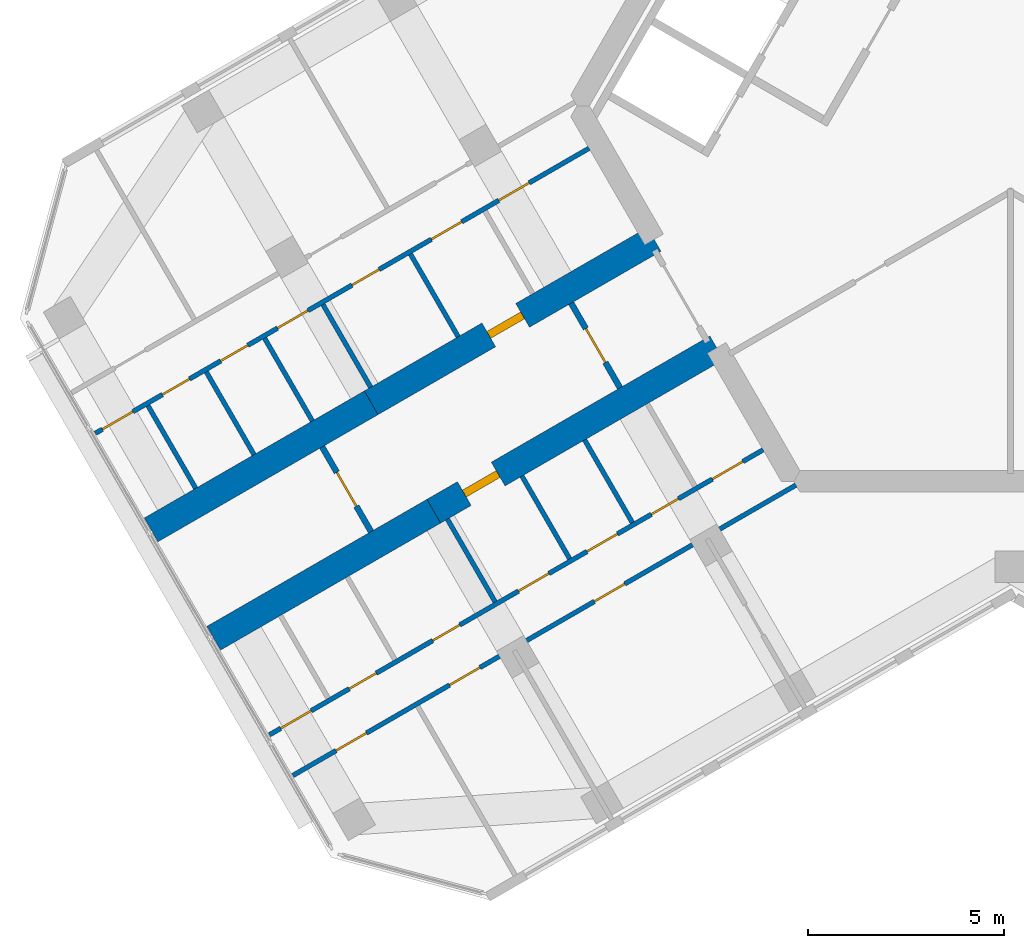
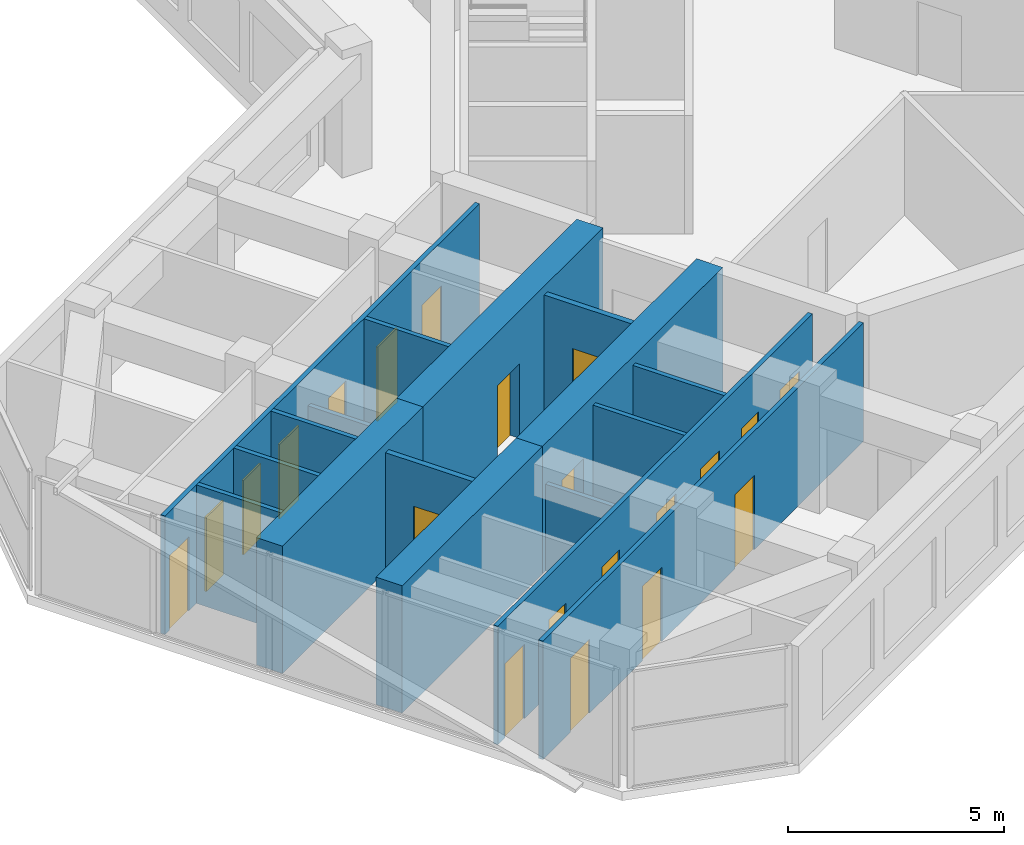
# One storey, part 7 of 14: 21 doors, 17 walls, 21 openings.
"""IFC4 building model written with IfcOpenShell, lengths in metres."""

from ifc_helpers import new_model, si_unit, direction, frame, frame_2d, origin, place, context, subcontext, project, spatial, rectangle, extrude, material, layer, layer_set, type_object, element, fill, save


model = new_model("IFC4")

# Units and contexts
model_context = context("Model", 3, precision=1e-05, world=origin(), true_north=direction((0.0, 1.0)))
body_context = subcontext(model_context, "Body", "Model", "MODEL_VIEW")
ifc_project = project(units=[si_unit("LENGTHUNIT", "METRE"), si_unit("AREAUNIT", "SQUARE_METRE"), si_unit("VOLUMEUNIT", "CUBIC_METRE"), si_unit("PLANEANGLEUNIT", "RADIAN"), si_unit("MASSUNIT", "GRAM", prefix="KILO")], contexts=[model_context])

# Site, building, storey
site_placement = place(None, origin())
site = spatial("IfcSite", under=ifc_project, at=site_placement, CompositionType="ELEMENT")
building_placement = place(site_placement, origin())
building = spatial("IfcBuilding", under=site, at=building_placement, Name="Kosmar Iwan School Tower", CompositionType="ELEMENT")
storey_placement = place(building_placement, frame((0.0, 0.0, 267.39990234375)))
storey = spatial("IfcBuildingStorey", under=building, at=storey_placement, Name="L67", CompositionType="ELEMENT", Elevation=267.39990234375)

# Wall, opening, door
ifc_material_1 = material(Name="Concrete C50/60", Category="concrete")
ifc_layer_1 = layer(ifc_material_1, 0.699951171875)
ifc_layer_set_1 = layer_set([ifc_layer_1], Name="Corridor buttress wall 700")
wall_type_1 = type_object("IfcWallType", Name="Corridor buttress wall 700", PredefinedType="SHEAR", material=ifc_layer_set_1)
wall_1_placement = place(storey_placement, frame((-7.513916015625, -6.185546875, 0.0), z_axis=(0.0, 0.0, 1.0), x_axis=(-0.866019549707, -0.500010139422, 0.0)))
wall_1 = element("IfcWall", 1, at=wall_1_placement, inside=storey, type_object=wall_type_1, Name="Corridor wall BL", PredefinedType="SHEAR", context=body_context, shape_type="SweptSolid", body=[
    extrude(rectangle(XDim=8.349853515625, YDim=0.699951171875, at=frame_2d((4.1748046875, 0.0))), origin(), (0.0, 0.0, 1.0), 3.60009765625),
])
opening_1_placement = place(wall_1_placement, frame((6.449951171875, 0.0, 0.0)))
opening_1 = element("IfcOpeningElement", 2, at=opening_1_placement, cuts=wall_1, Name="Opening D1", PredefinedType="OPENING", context=body_context, shape_type="SweptSolid", body=[
    extrude(rectangle(XDim=1.0, YDim=2.10009765625, at=frame_2d((0.5, 1.050048828125))), frame((0.0, 0.362060546875, 0.0), z_axis=(0.0, -1.0, 0.0), x_axis=(1.0, 0.0, 0.0)), (0.0, 0.0, 1.0), 0.723876953125),
])
ifc_material_2 = material(Name="Timber fire door in steel frame", Category="steel")
door_type_1 = type_object("IfcDoorType", Name="Flat entrance door 1000x2100", OperationType="SINGLE_SWING_LEFT", PredefinedType="DOOR", material=ifc_material_2)
door_1_placement = place(opening_1_placement, origin())
door_1 = element("IfcDoor", 3, at=door_1_placement, inside=storey, type_object=door_type_1, Name="Flat L67-BL1 entrance door", OperationType="SINGLE_SWING_LEFT", OverallHeight=2.10009765625, OverallWidth=1.0, PredefinedType="DOOR", context=body_context, shape_type="SweptSolid", body=[
    extrude(rectangle(XDim=1.0, YDim=2.10009765625, at=frame_2d((0.5, 1.050048828125))), frame((0.0, 0.10009765625, 0.0), z_axis=(0.0, -1.0, 0.0), x_axis=(1.0, 0.0, 0.0)), (0.0, 0.0, 1.0), 0.199951171875),
])
fill(opening_1, door_1)

# Wall
wall_2_placement = place(storey_placement, frame((-14.7451171875, -10.360595703125, 0.0), z_axis=(0.0, 0.0, 1.0), x_axis=(-0.866027848477, -0.499995765644, 0.0)))
element("IfcWall", 4, at=wall_2_placement, inside=storey, type_object=wall_type_1, Name="Corridor wall BL bay 2", PredefinedType="SHEAR", context=body_context, shape_type="SweptSolid", body=[
    extrude(rectangle(XDim=6.4951171875, YDim=0.699951171875, at=frame_2d((3.24755859375, 0.0))), origin(), (0.0, 0.0, 1.0), 3.60009765625),
])

# Wall, opening, door
wall_3_placement = place(storey_placement, frame((-9.11376953125, -3.414306640625, 0.0), z_axis=(0.0, 0.0, 1.0), x_axis=(-0.866026859388, -0.499997478812, 0.0)))
wall_3 = element("IfcWall", 5, at=wall_3_placement, inside=storey, type_object=wall_type_1, Name="Corridor wall BR", PredefinedType="SHEAR", context=body_context, shape_type="SweptSolid", body=[
    extrude(rectangle(XDim=8.35009765625, YDim=0.699951171875, at=frame_2d((4.175048828125, 0.0))), origin(), (0.0, 0.0, 1.0), 3.60009765625),
])
opening_2_placement = place(wall_3_placement, frame((3.8798828125, 0.0, 0.0)))
opening_2 = element("IfcOpeningElement", 6, at=opening_2_placement, cuts=wall_3, Name="Opening D1", PredefinedType="OPENING", context=body_context, shape_type="SweptSolid", body=[
    extrude(rectangle(XDim=1.0, YDim=2.10009765625, at=frame_2d((0.5, 1.050048828125))), frame((0.0, 0.362060546875, 0.0), z_axis=(0.0, -1.0, 0.0), x_axis=(1.0, 0.0, 0.0)), (0.0, 0.0, 1.0), 0.723876953125),
])
door_2_placement = place(opening_2_placement, origin())
door_2 = element("IfcDoor", 7, at=door_2_placement, inside=storey, type_object=door_type_1, Name="Flat L67-BR1 entrance door", OperationType="SINGLE_SWING_LEFT", OverallHeight=2.10009765625, OverallWidth=1.0, PredefinedType="DOOR", context=body_context, shape_type="SweptSolid", body=[
    extrude(rectangle(XDim=1.0, YDim=2.10009765625, at=frame_2d((0.5, 1.050048828125))), frame((0.0, 0.10009765625, 0.0), z_axis=(0.0, -1.0, 0.0), x_axis=(1.0, 0.0, 0.0)), (0.0, 0.0, 1.0), 0.199951171875),
])
fill(opening_2, door_2)

# Wall
wall_4_placement = place(storey_placement, frame((-16.34521484375, -7.58935546875, 0.0), z_axis=(0.0, 0.0, 1.0), x_axis=(-0.866018451174, -0.500012042081, 0.0)))
element("IfcWall", 8, at=wall_4_placement, inside=storey, type_object=wall_type_1, Name="Corridor wall BR bay 2", PredefinedType="SHEAR", context=body_context, shape_type="SweptSolid", body=[
    extrude(rectangle(XDim=6.494873046875, YDim=0.699951171875, at=frame_2d((3.24755859375, 0.0))), origin(), (0.0, 0.0, 1.0), 3.60009765625),
])

# Wall, opening, door
ifc_material_3 = material(Name="Gypsum board on steel studs, fire-rated", Category="steel")
ifc_layer_2 = layer(ifc_material_3, 0.14990234375)
ifc_layer_set_2 = layer_set([ifc_layer_2], Name="Corridor end wall 150")
wall_type_2 = type_object("IfcWallType", Name="Corridor end wall 150", PredefinedType="PARTITIONING", material=ifc_layer_set_2)
wall_5_placement = place(storey_placement, frame((-17.59912109375, -8.717529296875, 0.0), z_axis=(0.0, 0.0, 1.0), x_axis=(0.500004234368, -0.866022959057, 0.0)))
wall_5 = element("IfcWall", 9, at=wall_5_placement, inside=storey, type_object=wall_type_2, Name="Partition L67-B-CE", PredefinedType="PARTITIONING", context=body_context, shape_type="SweptSolid", body=[
    extrude(rectangle(XDim=2.5, YDim=0.14990234375, at=frame_2d((1.25, 0.0))), origin(), (0.0, 0.0, 1.0), 3.35009765625),
])
opening_3_placement = place(wall_5_placement, frame((0.75, 0.0, 0.0)))
opening_3 = element("IfcOpeningElement", 10, at=opening_3_placement, cuts=wall_5, Name="Opening D13", PredefinedType="OPENING", context=body_context, shape_type="SweptSolid", body=[
    extrude(rectangle(XDim=1.0, YDim=2.10009765625, at=frame_2d((0.5, 1.050048828125))), frame((0.0, 0.0869140625, 0.0), z_axis=(0.0, -1.0, 0.0), x_axis=(1.0, 0.0, 0.0)), (0.0, 0.0, 1.0), 0.173828125),
])
ifc_material_4 = material(Name="Timber fire door with vision panel", Category="wood")
door_type_2 = type_object("IfcDoorType", Name="Corridor end door 1000x2100", OperationType="SINGLE_SWING_LEFT", PredefinedType="DOOR", material=ifc_material_4)
door_3_placement = place(opening_3_placement, origin())
door_3 = element("IfcDoor", 11, at=door_3_placement, inside=storey, type_object=door_type_2, Name="Prayer room door L67-B", OperationType="SINGLE_SWING_LEFT", OverallHeight=2.10009765625, OverallWidth=1.0, PredefinedType="DOOR", context=body_context, shape_type="SweptSolid", body=[
    extrude(rectangle(XDim=1.0, YDim=2.10009765625, at=frame_2d((0.5, 1.050048828125))), frame((0.0, 0.02490234375, 0.0), z_axis=(0.0, -1.0, 0.0), x_axis=(1.0, 0.0, 0.0)), (0.0, 0.0, 1.0), 0.050048828125),
])
fill(opening_3, door_3)

wall_6_placement = place(storey_placement, frame((-11.23388671875, -5.04248046875, 0.0), z_axis=(0.0, 0.0, 1.0), x_axis=(0.500004234368, -0.866022959057, 0.0)))
wall_6 = element("IfcWall", 12, at=wall_6_placement, inside=storey, type_object=wall_type_2, Name="Partition L67-B-HW", PredefinedType="PARTITIONING", context=body_context, shape_type="SweptSolid", body=[
    extrude(rectangle(XDim=2.5, YDim=0.14990234375, at=frame_2d((1.25, 0.0))), origin(), (0.0, 0.0, 1.0), 3.35009765625),
])
opening_4_placement = place(wall_6_placement, frame((0.75, 0.0, 0.0)))
opening_4 = element("IfcOpeningElement", 13, at=opening_4_placement, cuts=wall_6, Name="Opening D13", PredefinedType="OPENING", context=body_context, shape_type="SweptSolid", body=[
    extrude(rectangle(XDim=1.0, YDim=2.10009765625, at=frame_2d((0.5, 1.050048828125))), frame((0.0, 0.0869140625, 0.0), z_axis=(0.0, -1.0, 0.0), x_axis=(1.0, 0.0, 0.0)), (0.0, 0.0, 1.0), 0.173828125),
])
door_4_placement = place(opening_4_placement, origin())
door_4 = element("IfcDoor", 14, at=door_4_placement, inside=storey, type_object=door_type_2, Name="Entrance door L67-B", OperationType="SINGLE_SWING_RIGHT", OverallHeight=2.10009765625, OverallWidth=1.0, PredefinedType="DOOR", context=body_context, shape_type="SweptSolid", body=[
    extrude(rectangle(XDim=1.0, YDim=2.10009765625, at=frame_2d((0.5, 1.050048828125))), frame((0.0, 0.02490234375, 0.0), z_axis=(0.0, -1.0, 0.0), x_axis=(1.0, 0.0, 0.0)), (0.0, 0.0, 1.0), 0.050048828125),
])
fill(opening_4, door_4)

# Wall, openings, doors
ifc_material_5 = material(Name="Gypsum board on steel studs", Category="steel")
ifc_layer_3 = layer(ifc_material_5, 0.1201171875)
ifc_layer_set_3 = layer_set([ifc_layer_3], Name="Dwelling partition 120")
wall_type_3 = type_object("IfcWallType", Name="Dwelling partition 120", PredefinedType="PARTITIONING", material=ifc_layer_set_3)
wall_7_placement = place(storey_placement, frame((-6.326904296875, -8.791259765625, 0.0), z_axis=(0.0, 0.0, 1.0), x_axis=(-0.866023744513, -0.500002873931, 0.0)))
wall_7 = element("IfcWall", 15, at=wall_7_placement, inside=storey, type_object=wall_type_3, Name="Partition L67-BL1-W1", PredefinedType="PARTITIONING", context=body_context, shape_type="SweptSolid", body=[
    extrude(rectangle(XDim=14.5703125, YDim=0.1201171875, at=frame_2d((7.28515625, 0.0))), origin(), (0.0, 0.0, 1.0), 3.35009765625),
])
opening_5_placement = place(wall_7_placement, frame((0.60009765625, 0.0, 0.0)))
opening_5 = element("IfcOpeningElement", 16, at=opening_5_placement, cuts=wall_7, Name="Opening D2", PredefinedType="OPENING", context=body_context, shape_type="SweptSolid", body=[
    extrude(rectangle(XDim=0.89990234375, YDim=2.10009765625, at=frame_2d((0.449951171875, 1.050048828125))), frame((0.0, 0.072021484375, 0.0), z_axis=(0.0, -1.0, 0.0), x_axis=(1.0, 0.0, 0.0)), (0.0, 0.0, 1.0), 0.14404296875),
])
opening_6_placement = place(wall_7_placement, frame((2.5, 0.0, 0.0)))
opening_6 = element("IfcOpeningElement", 17, at=opening_6_placement, cuts=wall_7, Name="Opening D3", PredefinedType="OPENING", context=body_context, shape_type="SweptSolid", body=[
    extrude(rectangle(XDim=0.800048828125, YDim=2.10009765625, at=frame_2d((0.39990234375, 1.050048828125))), frame((0.0, 0.072021484375, 0.0), z_axis=(0.0, -1.0, 0.0), x_axis=(1.0, 0.0, 0.0)), (0.0, 0.0, 1.0), 0.14404296875),
])
opening_7_placement = place(wall_7_placement, frame((4.300048828125, 0.0, 0.0)))
opening_7 = element("IfcOpeningElement", 18, at=opening_7_placement, cuts=wall_7, Name="Opening D2", PredefinedType="OPENING", context=body_context, shape_type="SweptSolid", body=[
    extrude(rectangle(XDim=0.89990234375, YDim=2.10009765625, at=frame_2d((0.449951171875, 1.050048828125))), frame((0.0, 0.072021484375, 0.0), z_axis=(0.0, -1.0, 0.0), x_axis=(1.0, 0.0, 0.0)), (0.0, 0.0, 1.0), 0.14404296875),
])
opening_8_placement = place(wall_7_placement, frame((6.324951171875, 0.0, 0.0)))
opening_8 = element("IfcOpeningElement", 19, at=opening_8_placement, cuts=wall_7, Name="Opening D2", PredefinedType="OPENING", context=body_context, shape_type="SweptSolid", body=[
    extrude(rectangle(XDim=0.89990234375, YDim=2.10009765625, at=frame_2d((0.449951171875, 1.050048828125))), frame((0.0, 0.072021484375, 0.0), z_axis=(0.0, -1.0, 0.0), x_axis=(1.0, 0.0, 0.0)), (0.0, 0.0, 1.0), 0.14404296875),
])
opening_9_placement = place(wall_7_placement, frame((8.95361328125, 0.0, 0.0)))
opening_9 = element("IfcOpeningElement", 20, at=opening_9_placement, cuts=wall_7, Name="Opening D3", PredefinedType="OPENING", context=body_context, shape_type="SweptSolid", body=[
    extrude(rectangle(XDim=0.800048828125, YDim=2.10009765625, at=frame_2d((0.39990234375, 1.050048828125))), frame((0.0, 0.072021484375, 0.0), z_axis=(0.0, -1.0, 0.0), x_axis=(1.0, 0.0, 0.0)), (0.0, 0.0, 1.0), 0.14404296875),
])
opening_10_placement = place(wall_7_placement, frame((11.41796875, 0.0, 0.0)))
opening_10 = element("IfcOpeningElement", 21, at=opening_10_placement, cuts=wall_7, Name="Opening D3", PredefinedType="OPENING", context=body_context, shape_type="SweptSolid", body=[
    extrude(rectangle(XDim=0.800048828125, YDim=2.10009765625, at=frame_2d((0.39990234375, 1.050048828125))), frame((0.0, 0.072021484375, 0.0), z_axis=(0.0, -1.0, 0.0), x_axis=(1.0, 0.0, 0.0)), (0.0, 0.0, 1.0), 0.14404296875),
])
opening_11_placement = place(wall_7_placement, frame((13.33935546875, 0.0, 0.0)))
opening_11 = element("IfcOpeningElement", 22, at=opening_11_placement, cuts=wall_7, Name="Opening D2", PredefinedType="OPENING", context=body_context, shape_type="SweptSolid", body=[
    extrude(rectangle(XDim=0.89990234375, YDim=2.10009765625, at=frame_2d((0.449951171875, 1.050048828125))), frame((0.0, 0.072021484375, 0.0), z_axis=(0.0, -1.0, 0.0), x_axis=(1.0, 0.0, 0.0)), (0.0, 0.0, 1.0), 0.14404296875),
])
ifc_material_6 = material(Name="Timber door in timber frame", Category="wood")
door_type_3 = type_object("IfcDoorType", Name="Internal door 900x2100", OperationType="SINGLE_SWING_LEFT", PredefinedType="DOOR", material=ifc_material_6)
door_5_placement = place(opening_5_placement, origin())
door_5 = element("IfcDoor", 23, at=door_5_placement, inside=storey, type_object=door_type_3, Name="Dressing room door L67-BL1-S1", OperationType="SINGLE_SWING_LEFT", OverallHeight=2.10009765625, OverallWidth=0.89990234375, PredefinedType="DOOR", context=body_context, shape_type="SweptSolid", body=[
    extrude(rectangle(XDim=0.89990234375, YDim=2.10009765625, at=frame_2d((0.449951171875, 1.050048828125))), frame((0.0, 0.02490234375, 0.0), z_axis=(0.0, -1.0, 0.0), x_axis=(1.0, 0.0, 0.0)), (0.0, 0.0, 1.0), 0.050048828125),
])
fill(opening_5, door_5)
door_6_placement = place(opening_7_placement, origin())
door_6 = element("IfcDoor", 24, at=door_6_placement, inside=storey, type_object=door_type_3, Name="Pantry door L67-BL1-S3", OperationType="SINGLE_SWING_LEFT", OverallHeight=2.10009765625, OverallWidth=0.89990234375, PredefinedType="DOOR", context=body_context, shape_type="SweptSolid", body=[
    extrude(rectangle(XDim=0.89990234375, YDim=2.10009765625, at=frame_2d((0.449951171875, 1.050048828125))), frame((0.0, 0.02490234375, 0.0), z_axis=(0.0, -1.0, 0.0), x_axis=(1.0, 0.0, 0.0)), (0.0, 0.0, 1.0), 0.050048828125),
])
fill(opening_7, door_6)
door_7_placement = place(opening_8_placement, origin())
door_7 = element("IfcDoor", 25, at=door_7_placement, inside=storey, type_object=door_type_3, Name="Entrance hall door L67-BL1-S4", OperationType="SINGLE_SWING_LEFT", OverallHeight=2.10009765625, OverallWidth=0.89990234375, PredefinedType="DOOR", context=body_context, shape_type="SweptSolid", body=[
    extrude(rectangle(XDim=0.89990234375, YDim=2.10009765625, at=frame_2d((0.449951171875, 1.050048828125))), frame((0.0, 0.02490234375, 0.0), z_axis=(0.0, -1.0, 0.0), x_axis=(1.0, 0.0, 0.0)), (0.0, 0.0, 1.0), 0.050048828125),
])
fill(opening_8, door_7)
door_8_placement = place(opening_11_placement, origin())
door_8 = element("IfcDoor", 26, at=door_8_placement, inside=storey, type_object=door_type_3, Name="Utility room door L67-BL1-S7", OperationType="SINGLE_SWING_RIGHT", OverallHeight=2.10009765625, OverallWidth=0.89990234375, PredefinedType="DOOR", context=body_context, shape_type="SweptSolid", body=[
    extrude(rectangle(XDim=0.89990234375, YDim=2.10009765625, at=frame_2d((0.449951171875, 1.050048828125))), frame((0.0, 0.02490234375, 0.0), z_axis=(0.0, -1.0, 0.0), x_axis=(1.0, 0.0, 0.0)), (0.0, 0.0, 1.0), 0.050048828125),
])
fill(opening_11, door_8)
ifc_material_7 = material(Name="Timber door in timber frame", Category="wood")
door_type_4 = type_object("IfcDoorType", Name="Sanitary room door 800x2100", OperationType="SINGLE_SWING_LEFT", PredefinedType="DOOR", material=ifc_material_7)
door_9_placement = place(opening_6_placement, origin())
door_9 = element("IfcDoor", 27, at=door_9_placement, inside=storey, type_object=door_type_4, Name="Store door L67-BL1-S2", OperationType="SINGLE_SWING_LEFT", OverallHeight=2.10009765625, OverallWidth=0.800048828125, PredefinedType="DOOR", context=body_context, shape_type="SweptSolid", body=[
    extrude(rectangle(XDim=0.800048828125, YDim=2.10009765625, at=frame_2d((0.39990234375, 1.050048828125))), frame((0.0, 0.02490234375, 0.0), z_axis=(0.0, -1.0, 0.0), x_axis=(1.0, 0.0, 0.0)), (0.0, 0.0, 1.0), 0.050048828125),
])
fill(opening_6, door_9)
door_10_placement = place(opening_9_placement, origin())
door_10 = element("IfcDoor", 28, at=door_10_placement, inside=storey, type_object=door_type_4, Name="Bathroom door L67-BL1-S5", OperationType="SINGLE_SWING_RIGHT", OverallHeight=2.10009765625, OverallWidth=0.800048828125, PredefinedType="DOOR", context=body_context, shape_type="SweptSolid", body=[
    extrude(rectangle(XDim=0.800048828125, YDim=2.10009765625, at=frame_2d((0.39990234375, 1.050048828125))), frame((0.0, 0.02490234375, 0.0), z_axis=(0.0, -1.0, 0.0), x_axis=(1.0, 0.0, 0.0)), (0.0, 0.0, 1.0), 0.050048828125),
])
fill(opening_9, door_10)
door_11_placement = place(opening_10_placement, origin())
door_11 = element("IfcDoor", 29, at=door_11_placement, inside=storey, type_object=door_type_4, Name="WC door L67-BL1-S6", OperationType="SINGLE_SWING_RIGHT", OverallHeight=2.10009765625, OverallWidth=0.800048828125, PredefinedType="DOOR", context=body_context, shape_type="SweptSolid", body=[
    extrude(rectangle(XDim=0.800048828125, YDim=2.10009765625, at=frame_2d((0.39990234375, 1.050048828125))), frame((0.0, 0.02490234375, 0.0), z_axis=(0.0, -1.0, 0.0), x_axis=(1.0, 0.0, 0.0)), (0.0, 0.0, 1.0), 0.050048828125),
])
fill(opening_10, door_11)

wall_8_placement = place(storey_placement, frame((-5.48876953125, -9.693115234375, 0.0), z_axis=(0.0, 0.0, 1.0), x_axis=(-0.866030301974, -0.499991515992, 0.0)))
wall_8 = element("IfcWall", 30, at=wall_8_placement, inside=storey, type_object=wall_type_3, Name="Partition L67-BL1-W2", PredefinedType="PARTITIONING", context=body_context, shape_type="SweptSolid", body=[
    extrude(rectangle(XDim=14.844970703125, YDim=0.1201171875, at=frame_2d((7.42236328125, 0.0))), origin(), (0.0, 0.0, 1.0), 3.35009765625),
])
opening_12_placement = place(wall_8_placement, frame((5.050048828125, 0.0, 0.0)))
opening_12 = element("IfcOpeningElement", 31, at=opening_12_placement, cuts=wall_8, Name="Opening D2", PredefinedType="OPENING", context=body_context, shape_type="SweptSolid", body=[
    extrude(rectangle(XDim=0.89990234375, YDim=2.10009765625, at=frame_2d((0.449951171875, 1.050048828125))), frame((0.0, 0.072021484375, 0.0), z_axis=(0.0, -1.0, 0.0), x_axis=(1.0, 0.0, 0.0)), (0.0, 0.0, 1.0), 0.14404296875),
])
opening_13_placement = place(wall_8_placement, frame((9.324951171875, 0.0, 0.0)))
opening_13 = element("IfcOpeningElement", 32, at=opening_13_placement, cuts=wall_8, Name="Opening D2", PredefinedType="OPENING", context=body_context, shape_type="SweptSolid", body=[
    extrude(rectangle(XDim=0.89990234375, YDim=2.10009765625, at=frame_2d((0.449951171875, 1.050048828125))), frame((0.0, 0.072021484375, 0.0), z_axis=(0.0, -1.0, 0.0), x_axis=(1.0, 0.0, 0.0)), (0.0, 0.0, 1.0), 0.14404296875),
])
opening_14_placement = place(wall_8_placement, frame((12.675048828125, 0.0, 0.0)))
opening_14 = element("IfcOpeningElement", 33, at=opening_14_placement, cuts=wall_8, Name="Opening D2", PredefinedType="OPENING", context=body_context, shape_type="SweptSolid", body=[
    extrude(rectangle(XDim=0.89990234375, YDim=2.10009765625, at=frame_2d((0.449951171875, 1.050048828125))), frame((0.0, 0.072021484375, 0.0), z_axis=(0.0, -1.0, 0.0), x_axis=(1.0, 0.0, 0.0)), (0.0, 0.0, 1.0), 0.14404296875),
])
door_12_placement = place(opening_12_placement, origin())
door_12 = element("IfcDoor", 34, at=door_12_placement, inside=storey, type_object=door_type_3, Name="Living room door L67-BL1-F2", OperationType="SINGLE_SWING_LEFT", OverallHeight=2.10009765625, OverallWidth=0.89990234375, PredefinedType="DOOR", context=body_context, shape_type="SweptSolid", body=[
    extrude(rectangle(XDim=0.89990234375, YDim=2.10009765625, at=frame_2d((0.449951171875, 1.050048828125))), frame((0.0, 0.02490234375, 0.0), z_axis=(0.0, -1.0, 0.0), x_axis=(1.0, 0.0, 0.0)), (0.0, 0.0, 1.0), 0.050048828125),
])
fill(opening_12, door_12)
door_13_placement = place(opening_13_placement, origin())
door_13 = element("IfcDoor", 35, at=door_13_placement, inside=storey, type_object=door_type_3, Name="Dining room door L67-BL1-F3", OperationType="SINGLE_SWING_RIGHT", OverallHeight=2.10009765625, OverallWidth=0.89990234375, PredefinedType="DOOR", context=body_context, shape_type="SweptSolid", body=[
    extrude(rectangle(XDim=0.89990234375, YDim=2.10009765625, at=frame_2d((0.449951171875, 1.050048828125))), frame((0.0, 0.02490234375, 0.0), z_axis=(0.0, -1.0, 0.0), x_axis=(1.0, 0.0, 0.0)), (0.0, 0.0, 1.0), 0.050048828125),
])
fill(opening_13, door_13)
door_14_placement = place(opening_14_placement, origin())
door_14 = element("IfcDoor", 36, at=door_14_placement, inside=storey, type_object=door_type_3, Name="Bedroom 1 door L67-BL1-F4", OperationType="SINGLE_SWING_RIGHT", OverallHeight=2.10009765625, OverallWidth=0.89990234375, PredefinedType="DOOR", context=body_context, shape_type="SweptSolid", body=[
    extrude(rectangle(XDim=0.89990234375, YDim=2.10009765625, at=frame_2d((0.449951171875, 1.050048828125))), frame((0.0, 0.02490234375, 0.0), z_axis=(0.0, -1.0, 0.0), x_axis=(1.0, 0.0, 0.0)), (0.0, 0.0, 1.0), 0.050048828125),
])
fill(opening_14, door_14)

# Walls
wall_9_placement = place(storey_placement, frame((-10.8896484375, -8.538818359375, 0.0), z_axis=(0.0, 0.0, 1.0), x_axis=(0.500077547548, -0.865980627057, 0.0)))
element("IfcWall", 37, at=wall_9_placement, inside=storey, type_object=wall_type_3, Name="Partition L67-BL1-Y2", PredefinedType="PARTITIONING", context=body_context, shape_type="SweptSolid", body=[
    extrude(rectangle(XDim=2.43994140625, YDim=0.1201171875, at=frame_2d((1.219970703125, 0.0))), origin(), (0.0, 0.0, 1.0), 3.35009765625),
])
wall_10_placement = place(storey_placement, frame((-12.49169921875, -9.463623046875, 0.0), z_axis=(0.0, 0.0, 1.0), x_axis=(0.499959183527, -0.866048967903, 0.0)))
element("IfcWall", 38, at=wall_10_placement, inside=storey, type_object=wall_type_3, Name="Partition L67-BL1-Y3", PredefinedType="PARTITIONING", context=body_context, shape_type="SweptSolid", body=[
    extrude(rectangle(XDim=2.440185546875, YDim=0.1201171875, at=frame_2d((1.22021484375, 0.0))), origin(), (0.0, 0.0, 1.0), 3.35009765625),
])
wall_11_placement = place(storey_placement, frame((-14.39697265625, -10.563720703125, 0.0), z_axis=(0.0, 0.0, 1.0), x_axis=(0.500002508028, -0.866023955769, 0.0)))
element("IfcWall", 39, at=wall_11_placement, inside=storey, type_object=wall_type_3, Name="Partition L67-BL1-Y4", PredefinedType="PARTITIONING", context=body_context, shape_type="SweptSolid", body=[
    extrude(rectangle(XDim=2.43994140625, YDim=0.1201171875, at=frame_2d((1.219970703125, 0.0))), origin(), (0.0, 0.0, 1.0), 2.4501953125),
])

# Wall, openings, doors
wall_12_placement = place(storey_placement, frame((-10.777099609375, -1.083740234375, 0.0), z_axis=(0.0, 0.0, 1.0), x_axis=(-0.866026811131, -0.499997562396, 0.0)))
wall_12 = element("IfcWall", 40, at=wall_12_placement, inside=storey, type_object=wall_type_3, Name="Partition L67-BR1-W1", PredefinedType="PARTITIONING", context=body_context, shape_type="SweptSolid", body=[
    extrude(rectangle(XDim=14.56982421875, YDim=0.1201171875, at=frame_2d((7.284912109375, 0.0))), origin(), (0.0, 0.0, 1.0), 3.35009765625),
])
opening_15_placement = place(wall_12_placement, frame((1.764892578125, 0.0, 0.0)))
opening_15 = element("IfcOpeningElement", 41, at=opening_15_placement, cuts=wall_12, Name="Opening D2", PredefinedType="OPENING", context=body_context, shape_type="SweptSolid", body=[
    extrude(rectangle(XDim=0.89990234375, YDim=2.10009765625, at=frame_2d((0.449951171875, 1.050048828125))), frame((0.0, 0.072021484375, 0.0), z_axis=(0.0, -1.0, 0.0), x_axis=(1.0, 0.0, 0.0)), (0.0, 0.0, 1.0), 0.14404296875),
])
opening_16_placement = place(wall_12_placement, frame((3.755126953125, 0.0, 0.0)))
opening_16 = element("IfcOpeningElement", 42, at=opening_16_placement, cuts=wall_12, Name="Opening D2", PredefinedType="OPENING", context=body_context, shape_type="SweptSolid", body=[
    extrude(rectangle(XDim=0.89990234375, YDim=2.10009765625, at=frame_2d((0.449951171875, 1.050048828125))), frame((0.0, 0.072021484375, 0.0), z_axis=(0.0, -1.0, 0.0), x_axis=(1.0, 0.0, 0.0)), (0.0, 0.0, 1.0), 0.14404296875),
])
opening_17_placement = place(wall_12_placement, frame((6.1962890625, 0.0, 0.0)))
opening_17 = element("IfcOpeningElement", 43, at=opening_17_placement, cuts=wall_12, Name="Opening D3", PredefinedType="OPENING", context=body_context, shape_type="SweptSolid", body=[
    extrude(rectangle(XDim=0.800048828125, YDim=2.10009765625, at=frame_2d((0.39990234375, 1.050048828125))), frame((0.0, 0.072021484375, 0.0), z_axis=(0.0, -1.0, 0.0), x_axis=(1.0, 0.0, 0.0)), (0.0, 0.0, 1.0), 0.14404296875),
])
opening_18_placement = place(wall_12_placement, frame((8.298583984375, 0.0, 0.0)))
opening_18 = element("IfcOpeningElement", 44, at=opening_18_placement, cuts=wall_12, Name="Opening D2", PredefinedType="OPENING", context=body_context, shape_type="SweptSolid", body=[
    extrude(rectangle(XDim=0.89990234375, YDim=2.10009765625, at=frame_2d((0.449951171875, 1.050048828125))), frame((0.0, 0.072021484375, 0.0), z_axis=(0.0, -1.0, 0.0), x_axis=(1.0, 0.0, 0.0)), (0.0, 0.0, 1.0), 0.14404296875),
])
opening_19_placement = place(wall_12_placement, frame((10.070556640625, 0.0, 0.0)))
opening_19 = element("IfcOpeningElement", 45, at=opening_19_placement, cuts=wall_12, Name="Opening D3", PredefinedType="OPENING", context=body_context, shape_type="SweptSolid", body=[
    extrude(rectangle(XDim=0.800048828125, YDim=2.10009765625, at=frame_2d((0.39990234375, 1.050048828125))), frame((0.0, 0.072021484375, 0.0), z_axis=(0.0, -1.0, 0.0), x_axis=(1.0, 0.0, 0.0)), (0.0, 0.0, 1.0), 0.14404296875),
])
opening_20_placement = place(wall_12_placement, frame((11.792236328125, 0.0, 0.0)))
opening_20 = element("IfcOpeningElement", 46, at=opening_20_placement, cuts=wall_12, Name="Opening D3", PredefinedType="OPENING", context=body_context, shape_type="SweptSolid", body=[
    extrude(rectangle(XDim=0.800048828125, YDim=2.10009765625, at=frame_2d((0.39990234375, 1.050048828125))), frame((0.0, 0.072021484375, 0.0), z_axis=(0.0, -1.0, 0.0), x_axis=(1.0, 0.0, 0.0)), (0.0, 0.0, 1.0), 0.14404296875),
])
opening_21_placement = place(wall_12_placement, frame((13.464111328125, 0.0, 0.0)))
opening_21 = element("IfcOpeningElement", 47, at=opening_21_placement, cuts=wall_12, Name="Opening D2", PredefinedType="OPENING", context=body_context, shape_type="SweptSolid", body=[
    extrude(rectangle(XDim=0.89990234375, YDim=2.10009765625, at=frame_2d((0.449951171875, 1.050048828125))), frame((0.0, 0.072021484375, 0.0), z_axis=(0.0, -1.0, 0.0), x_axis=(1.0, 0.0, 0.0)), (0.0, 0.0, 1.0), 0.14404296875),
])
door_15_placement = place(opening_15_placement, origin())
door_15 = element("IfcDoor", 48, at=door_15_placement, inside=storey, type_object=door_type_3, Name="Utility room door L67-BR1-S1", OperationType="SINGLE_SWING_RIGHT", OverallHeight=2.10009765625, OverallWidth=0.89990234375, PredefinedType="DOOR", context=body_context, shape_type="SweptSolid", body=[
    extrude(rectangle(XDim=0.89990234375, YDim=2.10009765625, at=frame_2d((0.449951171875, 1.050048828125))), frame((0.0, 0.02490234375, 0.0), z_axis=(0.0, -1.0, 0.0), x_axis=(1.0, 0.0, 0.0)), (0.0, 0.0, 1.0), 0.050048828125),
])
fill(opening_15, door_15)
door_16_placement = place(opening_16_placement, origin())
door_16 = element("IfcDoor", 49, at=door_16_placement, inside=storey, type_object=door_type_3, Name="Entrance hall door L67-BR1-S2", OperationType="SINGLE_SWING_LEFT", OverallHeight=2.10009765625, OverallWidth=0.89990234375, PredefinedType="DOOR", context=body_context, shape_type="SweptSolid", body=[
    extrude(rectangle(XDim=0.89990234375, YDim=2.10009765625, at=frame_2d((0.449951171875, 1.050048828125))), frame((0.0, 0.02490234375, 0.0), z_axis=(0.0, -1.0, 0.0), x_axis=(1.0, 0.0, 0.0)), (0.0, 0.0, 1.0), 0.050048828125),
])
fill(opening_16, door_16)
door_17_placement = place(opening_18_placement, origin())
door_17 = element("IfcDoor", 50, at=door_17_placement, inside=storey, type_object=door_type_3, Name="Pantry door L67-BR1-S4", OperationType="SINGLE_SWING_LEFT", OverallHeight=2.10009765625, OverallWidth=0.89990234375, PredefinedType="DOOR", context=body_context, shape_type="SweptSolid", body=[
    extrude(rectangle(XDim=0.89990234375, YDim=2.10009765625, at=frame_2d((0.449951171875, 1.050048828125))), frame((0.0, 0.02490234375, 0.0), z_axis=(0.0, -1.0, 0.0), x_axis=(1.0, 0.0, 0.0)), (0.0, 0.0, 1.0), 0.050048828125),
])
fill(opening_18, door_17)
door_18_placement = place(opening_21_placement, origin())
door_18 = element("IfcDoor", 51, at=door_18_placement, inside=storey, type_object=door_type_3, Name="Dressing room door L67-BR1-S7", OperationType="SINGLE_SWING_RIGHT", OverallHeight=2.10009765625, OverallWidth=0.89990234375, PredefinedType="DOOR", context=body_context, shape_type="SweptSolid", body=[
    extrude(rectangle(XDim=0.89990234375, YDim=2.10009765625, at=frame_2d((0.449951171875, 1.050048828125))), frame((0.0, 0.02490234375, 0.0), z_axis=(0.0, -1.0, 0.0), x_axis=(1.0, 0.0, 0.0)), (0.0, 0.0, 1.0), 0.050048828125),
])
fill(opening_21, door_18)
door_19_placement = place(opening_17_placement, origin())
door_19 = element("IfcDoor", 52, at=door_19_placement, inside=storey, type_object=door_type_4, Name="Bathroom door L67-BR1-S3", OperationType="SINGLE_SWING_RIGHT", OverallHeight=2.10009765625, OverallWidth=0.800048828125, PredefinedType="DOOR", context=body_context, shape_type="SweptSolid", body=[
    extrude(rectangle(XDim=0.800048828125, YDim=2.10009765625, at=frame_2d((0.39990234375, 1.050048828125))), frame((0.0, 0.02490234375, 0.0), z_axis=(0.0, -1.0, 0.0), x_axis=(1.0, 0.0, 0.0)), (0.0, 0.0, 1.0), 0.050048828125),
])
fill(opening_17, door_19)
door_20_placement = place(opening_19_placement, origin())
door_20 = element("IfcDoor", 53, at=door_20_placement, inside=storey, type_object=door_type_4, Name="WC door L67-BR1-S5", OperationType="SINGLE_SWING_RIGHT", OverallHeight=2.10009765625, OverallWidth=0.800048828125, PredefinedType="DOOR", context=body_context, shape_type="SweptSolid", body=[
    extrude(rectangle(XDim=0.800048828125, YDim=2.10009765625, at=frame_2d((0.39990234375, 1.050048828125))), frame((0.0, 0.02490234375, 0.0), z_axis=(0.0, -1.0, 0.0), x_axis=(1.0, 0.0, 0.0)), (0.0, 0.0, 1.0), 0.050048828125),
])
fill(opening_19, door_20)
door_21_placement = place(opening_20_placement, origin())
door_21 = element("IfcDoor", 54, at=door_21_placement, inside=storey, type_object=door_type_4, Name="Store door L67-BR1-S6", OperationType="SINGLE_SWING_LEFT", OverallHeight=2.10009765625, OverallWidth=0.800048828125, PredefinedType="DOOR", context=body_context, shape_type="SweptSolid", body=[
    extrude(rectangle(XDim=0.800048828125, YDim=2.10009765625, at=frame_2d((0.39990234375, 1.050048828125))), frame((0.0, 0.02490234375, 0.0), z_axis=(0.0, -1.0, 0.0), x_axis=(1.0, 0.0, 0.0)), (0.0, 0.0, 1.0), 0.050048828125),
])
fill(opening_20, door_21)

# Walls
wall_13_placement = place(storey_placement, frame((-14.121337890625, -5.9013671875, 0.0), z_axis=(0.0, 0.0, 1.0), x_axis=(-0.499959183527, 0.866048967903, 0.0)))
element("IfcWall", 55, at=wall_13_placement, inside=storey, type_object=wall_type_3, Name="Partition L67-BR1-Y2", PredefinedType="PARTITIONING", context=body_context, shape_type="SweptSolid", body=[
    extrude(rectangle(XDim=2.440185546875, YDim=0.1201171875, at=frame_2d((1.22021484375, 0.0))), origin(), (0.0, 0.0, 1.0), 3.35009765625),
])
wall_14_placement = place(storey_placement, frame((-16.35791015625, -7.192626953125, 0.0), z_axis=(0.0, 0.0, 1.0), x_axis=(-0.500002508028, 0.866023955769, 0.0)))
element("IfcWall", 56, at=wall_14_placement, inside=storey, type_object=wall_type_3, Name="Partition L67-BR1-Y3", PredefinedType="PARTITIONING", context=body_context, shape_type="SweptSolid", body=[
    extrude(rectangle(XDim=2.43994140625, YDim=0.1201171875, at=frame_2d((1.219970703125, 0.0))), origin(), (0.0, 0.0, 1.0), 2.4501953125),
])
wall_15_placement = place(storey_placement, frame((-17.84912109375, -8.053466796875, 0.0), z_axis=(0.0, 0.0, 1.0), x_axis=(-0.500002508028, 0.866023955769, 0.0)))
element("IfcWall", 57, at=wall_15_placement, inside=storey, type_object=wall_type_3, Name="Partition L67-BR1-Y4", PredefinedType="PARTITIONING", context=body_context, shape_type="SweptSolid", body=[
    extrude(rectangle(XDim=2.43994140625, YDim=0.1201171875, at=frame_2d((1.219970703125, 0.0))), origin(), (0.0, 0.0, 1.0), 3.35009765625),
])
for number, where, z_axis, x_axis, name in (
    (58, (-19.34033203125, -8.91455078125, 0.0), (0.0, 0.0, 1.0), (-0.499959183527, 0.866048967903, 0.0), "Partition L67-BR1-Y5"),
    (59, (-20.831298828125, -9.775390625, 0.0), (0.0, 0.0, 1.0), (-0.500034220881, 0.866005645448, 0.0), "Partition L67-BR1-Y6"),
):
    element("IfcWall", number, at=place(storey_placement, frame(where, z_axis=z_axis, x_axis=x_axis)), inside=storey, type_object=wall_type_3, Name=name, PredefinedType="PARTITIONING", context=body_context, shape_type="SweptSolid", body=[
        extrude(rectangle(XDim=2.440185546875, YDim=0.1201171875, at=frame_2d((1.22021484375, 0.0))), origin(), (0.0, 0.0, 1.0), 3.35009765625),
    ])

save(model, "model.ifc")
